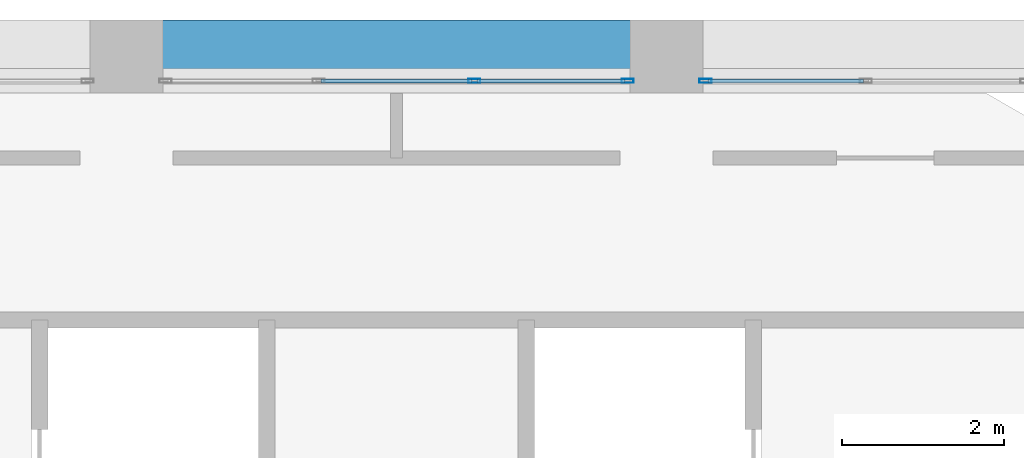
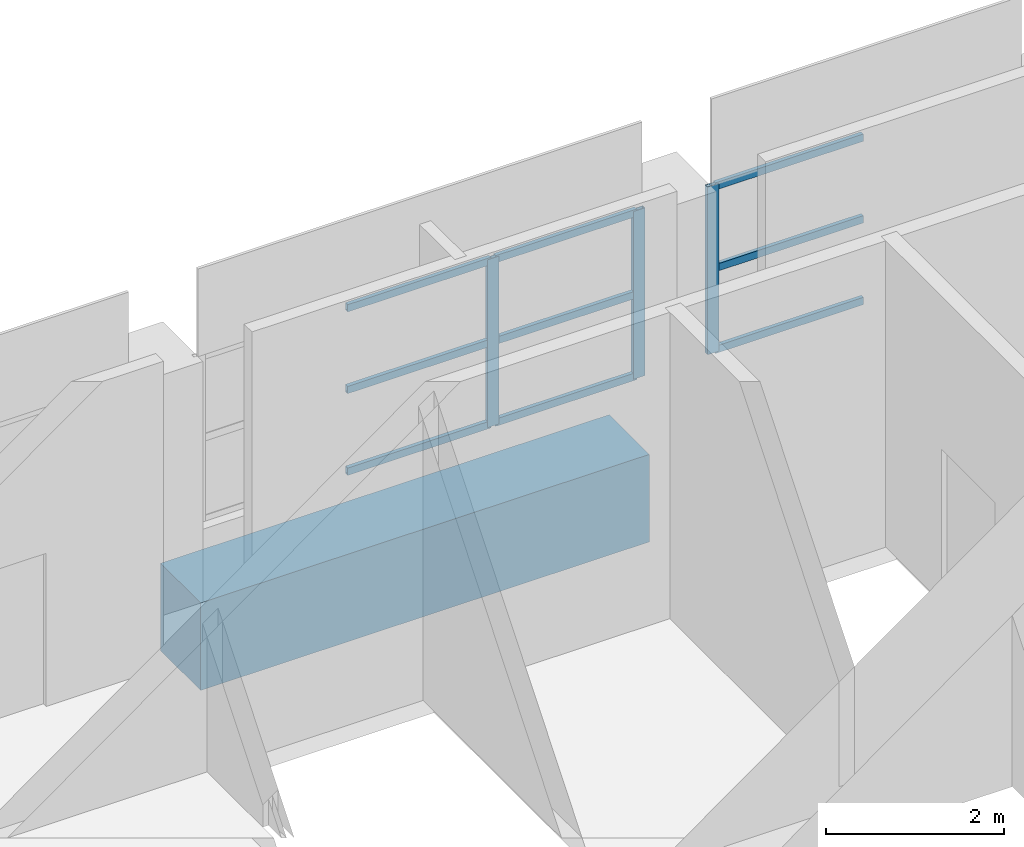
# One storey, part 8 of 20: 12 members, 1 beam, 2 elements without a shape of their own.
"""IFC4 building model written with IfcOpenShell, lengths in metres."""

from ifc_helpers import new_model, si_unit, direction, frame, origin, origin_2d, place, context, subcontext, project, spatial, rectangle, hollow_rectangle, extrude, material, material_profile, profile_set, type_object, element, aggregate, save


model = new_model("IFC4")

# Units and contexts
model_context = context("Model", 3, precision=1e-05, world=origin(), true_north=direction((0.0, 1.0)))
body_context = subcontext(model_context, "Body", "Model", "MODEL_VIEW")
ifc_project = project(units=[si_unit("LENGTHUNIT", "METRE"), si_unit("AREAUNIT", "SQUARE_METRE"), si_unit("VOLUMEUNIT", "CUBIC_METRE"), si_unit("PLANEANGLEUNIT", "RADIAN"), si_unit("MASSUNIT", "GRAM", prefix="KILO")], contexts=[model_context])

# Site, building, storey
site_placement = place(None, origin())
site = spatial("IfcSite", under=ifc_project, at=site_placement, CompositionType="ELEMENT")
building_placement = place(site_placement, origin())
building = spatial("IfcBuilding", under=site, at=building_placement, Name="Ostrander Bayou Hotel Tower", CompositionType="ELEMENT")
storey_placement = place(building_placement, frame((0.0, 0.0, 284.0)))
storey = spatial("IfcBuildingStorey", under=building, at=storey_placement, Name="L70", CompositionType="ELEMENT", Elevation=284.0)

# Curtain wall, member
ifc_material_1 = material(Name="Aluminium and clear glass", Category="aluminium")
curtain_wall_type = type_object("IfcCurtainWallType", Name="CW-CROWN glazed wall", PredefinedType="NOTDEFINED", material=ifc_material_1)
curtain_wall_1_placement = place(storey_placement, origin())
curtain_wall_1 = element("IfcCurtainWall", 1, at=curtain_wall_1_placement, inside=storey, type_object=curtain_wall_type, Name="CW-CROWN L70:N-1", PredefinedType="NOTDEFINED")
ifc_material_2 = material(Name="Aluminium", Category="aluminium")
ifc_material_profile_1 = material_profile(ifc_material_2, hollow_rectangle(XDim=0.050048828125, YDim=0.14990234375, WallThickness=0.00390625, at=origin_2d()))
ifc_profile_set_1 = profile_set([ifc_material_profile_1], Name="Aluminium")
member_type_1 = type_object("IfcMemberType", Name="CW-CR mullion 50 x 150 mm", PredefinedType="MULLION", material=ifc_profile_set_1)
member_1_placement = place(storey_placement, frame((3.809326171875, 16.550048828125, 1.0), z_axis=(0.0, 0.0, 1.0), x_axis=(0.0, -1.0, 0.0)))
member_1 = element("IfcMember", 2, at=member_1_placement, type_object=member_type_1, Name="CW-CROWN mullion 3", PredefinedType="MULLION", context=body_context, shape_type="SweptSolid", body=[
    extrude(hollow_rectangle(XDim=0.050048828125, YDim=0.14990234375, WallThickness=0.00390625, at=origin_2d()), origin(), (0.0, 0.0, 1.0), 2.300048828125),
])

# Curtain wall, members
curtain_wall_2_placement = place(storey_placement, origin())
curtain_wall_2 = element("IfcCurtainWall", 3, at=curtain_wall_2_placement, inside=storey, type_object=curtain_wall_type, Name="CW-CROWN L70:N-2", PredefinedType="NOTDEFINED")
member_2_placement = place(storey_placement, frame((2.849365234375, 16.550048828125, 1.0), z_axis=(0.0, 0.0, 1.0), x_axis=(0.0, -1.0, 0.0)))
member_2 = element("IfcMember", 4, at=member_2_placement, type_object=member_type_1, Name="CW-CROWN mullion 1", PredefinedType="MULLION", context=body_context, shape_type="SweptSolid", body=[
    extrude(hollow_rectangle(XDim=0.050048828125, YDim=0.14990234375, WallThickness=0.00390625, at=origin_2d()), origin(), (0.0, 0.0, 1.0), 2.300048828125),
])
member_3_placement = place(storey_placement, frame((0.959716796875, 16.550048828125, 1.0), z_axis=(0.0, 0.0, 1.0), x_axis=(0.0, -1.0, 0.0)))
member_3 = element("IfcMember", 5, at=member_3_placement, type_object=member_type_1, Name="CW-CROWN mullion 2", PredefinedType="MULLION", context=body_context, shape_type="SweptSolid", body=[
    extrude(hollow_rectangle(XDim=0.050048828125, YDim=0.14990234375, WallThickness=0.00390625, at=origin_2d()), origin(), (0.0, 0.0, 1.0), 2.300048828125),
])

# Member
ifc_material_3 = material(Name="Aluminium", Category="aluminium")
ifc_material_profile_2 = material_profile(ifc_material_3, hollow_rectangle(XDim=0.050048828125, YDim=0.10009765625, WallThickness=0.00390625, at=origin_2d()))
ifc_profile_set_2 = profile_set([ifc_material_profile_2], Name="Aluminium")
member_type_2 = type_object("IfcMemberType", Name="CW-CR transom 50 x 100 mm", PredefinedType="USERDEFINED", material=ifc_profile_set_2)
member_4_placement = place(storey_placement, frame((5.757568359375, 16.550048828125, 1.030029296875), z_axis=(-1.0, 0.0, 0.0), x_axis=(0.0, -1.0, 0.0)))
member_4 = element("IfcMember", 6, at=member_4_placement, type_object=member_type_2, Name="CW-CROWN transom 2.1", ObjectType="TRANSOM", PredefinedType="USERDEFINED", context=body_context, shape_type="SweptSolid", body=[
    extrude(hollow_rectangle(XDim=0.050048828125, YDim=0.10009765625, WallThickness=0.00390625, at=origin_2d()), origin(), (0.0, 0.0, 1.0), 1.918212890625),
])

member_5_placement = place(storey_placement, frame((5.757568359375, 16.550048828125, 2.14990234375), z_axis=(-1.0, 0.0, 0.0), x_axis=(0.0, -1.0, 0.0)))
member_5 = element("IfcMember", 7, at=member_5_placement, type_object=member_type_2, Name="CW-CROWN transom 2.2", ObjectType="TRANSOM", PredefinedType="USERDEFINED", context=body_context, shape_type="SweptSolid", body=[
    extrude(hollow_rectangle(XDim=0.050048828125, YDim=0.10009765625, WallThickness=0.00390625, at=origin_2d()), origin(), (0.0, 0.0, 1.0), 1.918212890625),
])

member_6_placement = place(storey_placement, frame((5.757568359375, 16.550048828125, 3.27001953125), z_axis=(-1.0, 0.0, 0.0), x_axis=(0.0, -1.0, 0.0)))
member_6 = element("IfcMember", 8, at=member_6_placement, type_object=member_type_2, Name="CW-CROWN transom 2.3", ObjectType="TRANSOM", PredefinedType="USERDEFINED", context=body_context, shape_type="SweptSolid", body=[
    extrude(hollow_rectangle(XDim=0.050048828125, YDim=0.10009765625, WallThickness=0.00390625, at=origin_2d()), origin(), (0.0, 0.0, 1.0), 1.918212890625),
])

aggregate(curtain_wall_1, [member_1, member_4, member_5, member_6])

member_7_placement = place(storey_placement, frame((2.8193359375, 16.550048828125, 1.030029296875), z_axis=(-1.0, 0.0, 0.0), x_axis=(0.0, -1.0, 0.0)))
member_7 = element("IfcMember", 9, at=member_7_placement, type_object=member_type_2, Name="CW-CROWN transom 1.1", ObjectType="TRANSOM", PredefinedType="USERDEFINED", context=body_context, shape_type="SweptSolid", body=[
    extrude(hollow_rectangle(XDim=0.050048828125, YDim=0.10009765625, WallThickness=0.00390625, at=origin_2d()), origin(), (0.0, 0.0, 1.0), 1.82958984375),
])

member_8_placement = place(storey_placement, frame((2.8193359375, 16.550048828125, 2.14990234375), z_axis=(-1.0, 0.0, 0.0), x_axis=(0.0, -1.0, 0.0)))
member_8 = element("IfcMember", 10, at=member_8_placement, type_object=member_type_2, Name="CW-CROWN transom 1.2", ObjectType="TRANSOM", PredefinedType="USERDEFINED", context=body_context, shape_type="SweptSolid", body=[
    extrude(hollow_rectangle(XDim=0.050048828125, YDim=0.10009765625, WallThickness=0.00390625, at=origin_2d()), origin(), (0.0, 0.0, 1.0), 1.82958984375),
])

member_9_placement = place(storey_placement, frame((2.8193359375, 16.550048828125, 3.27001953125), z_axis=(-1.0, 0.0, 0.0), x_axis=(0.0, -1.0, 0.0)))
member_9 = element("IfcMember", 11, at=member_9_placement, type_object=member_type_2, Name="CW-CROWN transom 1.3", ObjectType="TRANSOM", PredefinedType="USERDEFINED", context=body_context, shape_type="SweptSolid", body=[
    extrude(hollow_rectangle(XDim=0.050048828125, YDim=0.10009765625, WallThickness=0.00390625, at=origin_2d()), origin(), (0.0, 0.0, 1.0), 1.82958984375),
])

member_10_placement = place(storey_placement, frame((0.9296875, 16.550048828125, 1.030029296875), z_axis=(-1.0, 0.0, 0.0), x_axis=(0.0, -1.0, 0.0)))
member_10 = element("IfcMember", 12, at=member_10_placement, type_object=member_type_2, Name="CW-CROWN transom 2.1", ObjectType="TRANSOM", PredefinedType="USERDEFINED", context=body_context, shape_type="SweptSolid", body=[
    extrude(hollow_rectangle(XDim=0.050048828125, YDim=0.10009765625, WallThickness=0.00390625, at=origin_2d()), origin(), (0.0, 0.0, 1.0), 1.859375),
])

member_11_placement = place(storey_placement, frame((0.9296875, 16.550048828125, 2.14990234375), z_axis=(-1.0, 0.0, 0.0), x_axis=(0.0, -1.0, 0.0)))
member_11 = element("IfcMember", 13, at=member_11_placement, type_object=member_type_2, Name="CW-CROWN transom 2.2", ObjectType="TRANSOM", PredefinedType="USERDEFINED", context=body_context, shape_type="SweptSolid", body=[
    extrude(hollow_rectangle(XDim=0.050048828125, YDim=0.10009765625, WallThickness=0.00390625, at=origin_2d()), origin(), (0.0, 0.0, 1.0), 1.859375),
])

member_12_placement = place(storey_placement, frame((0.9296875, 16.550048828125, 3.27001953125), z_axis=(-1.0, 0.0, 0.0), x_axis=(0.0, -1.0, 0.0)))
member_12 = element("IfcMember", 14, at=member_12_placement, type_object=member_type_2, Name="CW-CROWN transom 2.3", ObjectType="TRANSOM", PredefinedType="USERDEFINED", context=body_context, shape_type="SweptSolid", body=[
    extrude(hollow_rectangle(XDim=0.050048828125, YDim=0.10009765625, WallThickness=0.00390625, at=origin_2d()), origin(), (0.0, 0.0, 1.0), 1.859375),
])

aggregate(curtain_wall_2, [member_2, member_3, member_7, member_8, member_9, member_10, member_11, member_12])

# Beam
ifc_material_4 = material(Name="Concrete f'c 60 MPa", Category="concrete")
ifc_material_profile_3 = material_profile(ifc_material_4, rectangle(XDim=0.89990234375, YDim=1.199951171875, at=origin_2d()))
ifc_profile_set_3 = profile_set([ifc_material_profile_3], Name="Concrete f'c 60 MPa")
beam_type = type_object("IfcBeamType", Name="SP4 spandrel beam 900 x 1200 mm f'c 60 MPa", PredefinedType="SPANDREL", material=ifc_profile_set_3)
beam_placement = place(storey_placement, frame((2.909423828125, 16.85009765625, -0.60009765625), z_axis=(-1.0, 0.0, 0.0), x_axis=(0.0, -1.0, 0.0)))
element("IfcBeam", 15, at=beam_placement, inside=storey, type_object=beam_type, Name="SP4 L70 N-2", PredefinedType="SPANDREL", context=body_context, shape_type="SweptSolid", body=[
    extrude(rectangle(XDim=0.89990234375, YDim=1.199951171875, at=origin_2d()), origin(), (0.0, 0.0, 1.0), 5.81884765625),
])

save(model, "model.ifc")
